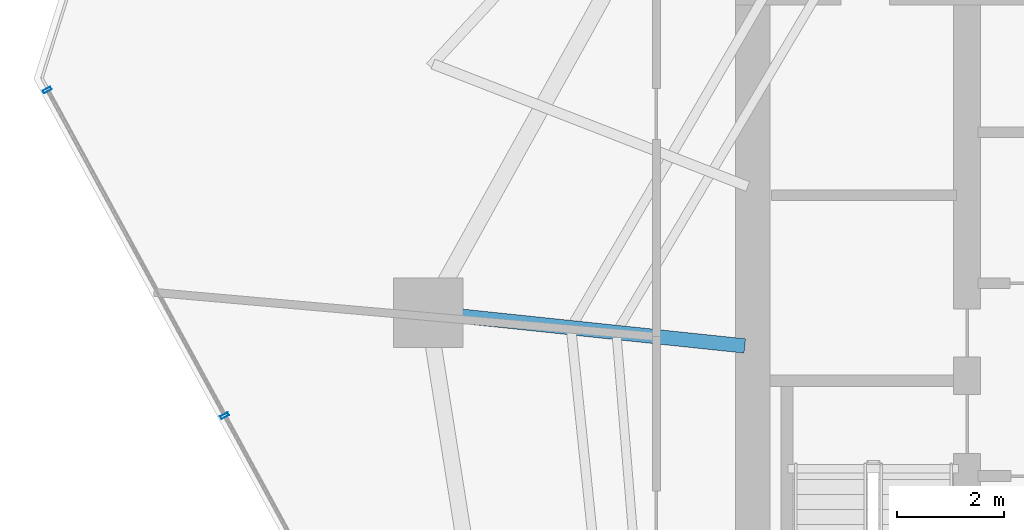
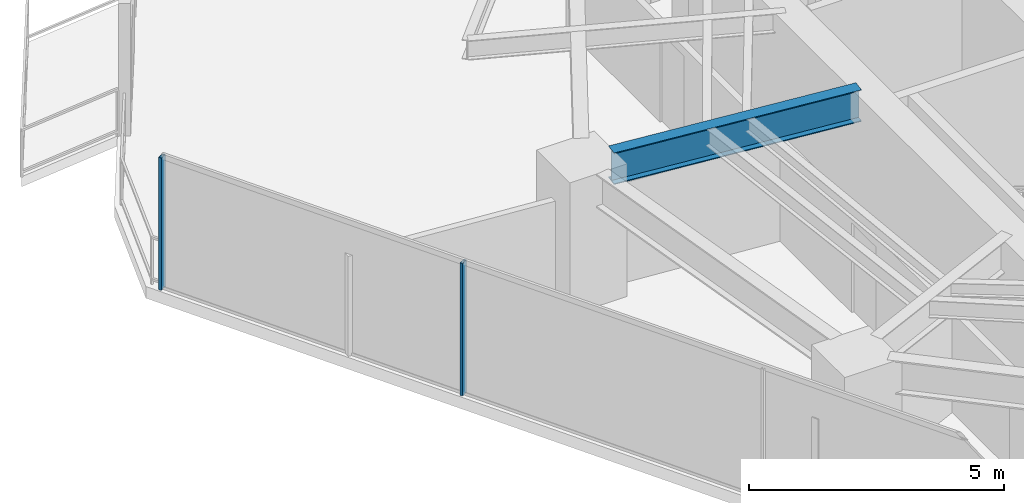
# One storey, part 9 of 30: 2 members, 1 beam, 1 element without a shape of its own.
"""IFC4 building model written with IfcOpenShell, lengths in metres."""

from ifc_helpers import new_model, si_unit, direction, frame, origin, origin_2d, place, context, subcontext, project, spatial, hollow_rectangle, i_section, extrude, material, layer, layer_set, material_profile, profile_set, type_object, element, aggregate, save


model = new_model("IFC4")

# Units and contexts
model_context = context("Model", 3, precision=1e-05, world=origin(), true_north=direction((0.0, 1.0)))
body_context = subcontext(model_context, "Body", "Model", "MODEL_VIEW")
ifc_project = project(units=[si_unit("LENGTHUNIT", "METRE"), si_unit("AREAUNIT", "SQUARE_METRE"), si_unit("VOLUMEUNIT", "CUBIC_METRE"), si_unit("PLANEANGLEUNIT", "RADIAN"), si_unit("MASSUNIT", "GRAM", prefix="KILO")], contexts=[model_context])

# Site, building, storey
site_placement = place(None, origin())
site = spatial("IfcSite", under=ifc_project, at=site_placement, CompositionType="ELEMENT")
building_placement = place(site_placement, origin())
building = spatial("IfcBuilding", under=site, at=building_placement, Name="Qarnah Convention Tower", CompositionType="ELEMENT")
storey_placement = place(building_placement, frame((0.0, 0.0, 61.5)))
storey = spatial("IfcBuildingStorey", under=building, at=storey_placement, Name="L15", CompositionType="ELEMENT", Elevation=61.5)

# Beam
ifc_material_1 = material(Name="Structural steel S355JR", Category="steel")
ifc_material_profile_1 = material_profile(ifc_material_1, i_section(OverallWidth=0.26806640625, OverallDepth=0.760009765625, WebThickness=0.014892578125, FlangeThickness=0.02197265625, at=origin_2d()), Name="W760X185")
ifc_profile_set_1 = profile_set([ifc_material_profile_1], Name="Structural steel S355JR")
beam_type = type_object("IfcBeamType", Name="BM-RAD-W760", PredefinedType="BEAM", material=ifc_profile_set_1)
beam_placement = place(storey_placement, frame((26.65087890625, 27.509033203125, 2.7900390625), z_axis=(-0.99452834613, 0.10446707014, 0.0), x_axis=(-0.10446707014, -0.99452834613, 0.0)))
element("IfcBeam", 1, at=beam_placement, inside=storey, type_object=beam_type, Name="L15 beam BM-L15-RAD-05", PredefinedType="BEAM", context=body_context, shape_type="SweptSolid", body=[
    extrude(i_section(OverallWidth=0.26806640625, OverallDepth=0.760009765625, WebThickness=0.014892578125, FlangeThickness=0.02197265625, at=origin_2d()), origin(), (0.0, 0.0, 1.0), 5.31201171875),
])

# Curtain wall, members
ifc_material_2 = material(Name="Tempered Low-E dark glass", Category="glass")
ifc_layer = layer(ifc_material_2, 0.16796875)
ifc_layer_set = layer_set([ifc_layer], Name="Tempered Low-E dark glass")
curtain_wall_type = type_object("IfcCurtainWallType", Name="CWS-01", PredefinedType="NOTDEFINED", material=ifc_layer_set)
curtain_wall_placement = place(storey_placement, origin())
curtain_wall = element("IfcCurtainWall", 2, at=curtain_wall_placement, inside=storey, type_object=curtain_wall_type, Name="L15 unitised curtain wall CW-L15-F3", PredefinedType="NOTDEFINED")
ifc_material_3 = material(Name="Black anodised aluminium", Category="aluminium")
ifc_material_profile_2 = material_profile(ifc_material_3, hollow_rectangle(XDim=0.06005859375, YDim=0.159912109375, WallThickness=0.00390625, at=origin_2d()), Name="MUL-60X160")
ifc_profile_set_2 = profile_set([ifc_material_profile_2], Name="Black anodised aluminium")
member_type = type_object("IfcMemberType", Name="MUL-T1", PredefinedType="MULLION", material=ifc_profile_set_2)
member_1_placement = place(storey_placement, frame((16.941162109375, 26.206298828125, 0.0), z_axis=(0.0, 0.0, 1.0), x_axis=(-0.478066483935, 0.878323651588, 0.0)))
member_1 = element("IfcMember", 3, at=member_1_placement, type_object=member_type, Name="CW-L15-F3 mullion 5", PredefinedType="MULLION", context=body_context, shape_type="SweptSolid", body=[
    extrude(hollow_rectangle(XDim=0.06005859375, YDim=0.159912109375, WallThickness=0.00390625, at=origin_2d()), origin(), (0.0, 0.0, 1.0), 3.169921875),
])
member_2_placement = place(storey_placement, frame((13.632080078125, 32.285888671875, 0.0), z_axis=(0.0, 0.0, 1.0), x_axis=(-0.478066483935, 0.878323651588, 0.0)))
member_2 = element("IfcMember", 4, at=member_2_placement, type_object=member_type, Name="CW-L15-F3 mullion 6", PredefinedType="MULLION", context=body_context, shape_type="SweptSolid", body=[
    extrude(hollow_rectangle(XDim=0.06005859375, YDim=0.159912109375, WallThickness=0.00390625, at=origin_2d()), origin(), (0.0, 0.0, 1.0), 3.169921875),
])
aggregate(curtain_wall, [member_1, member_2])

save(model, "model.ifc")
